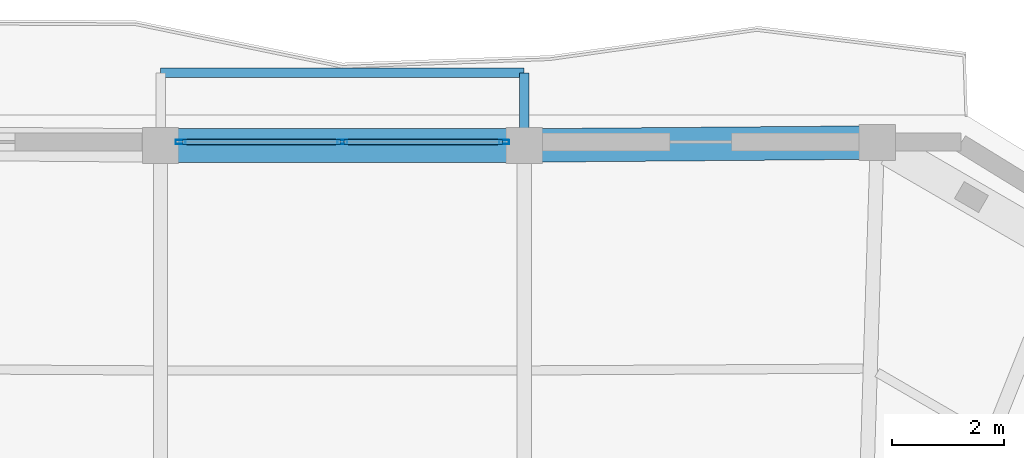
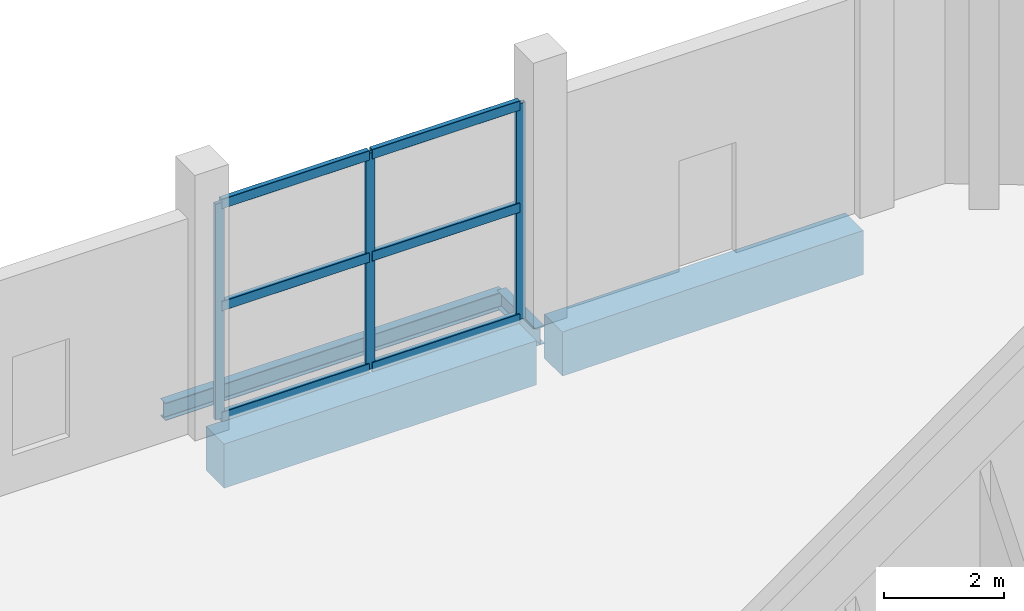
# One storey, part 15 of 23: 9 members, 4 beams, 1 element without a shape of its own.
"""IFC4 building model written with IfcOpenShell, lengths in metres."""

import ifcopenshell
import ifcopenshell.guid

model = None  # the IFC model being written
_history = None  # IfcOwnerHistory: only IFC2X3 demands one
_inside = {}  # id of a spatial element -> (the spatial element, [elements in it])
_under = {}  # id of a project, library or spatial element -> (it, [spatial elements below it])
_declared = {}  # id of a project -> (the project, [libraries it declares])
_typed = {}  # id of a type object -> (the type object, [elements of that type])
_made_of = {}  # id of a material, layer set ... -> (it, [elements and type objects made of it])


def new_model(schema):
    """Start an empty IFC model of exactly this schema.

    Asked for "IFC4X3", IfcOpenShell would pick the latest addendum, in which some entities
    have other attributes; the version numbers below select the first issue.
    IFC2X3 requires an IfcOwnerHistory on every rooted entity: one is made here for all.
    """
    global model, _history
    if schema == "IFC4X3":
        model = ifcopenshell.file(schema_version=(4, 3, 0, 0))
    else:
        model = ifcopenshell.file(schema=schema)
    _inside.clear()
    _under.clear()
    _declared.clear()
    _typed.clear()
    _made_of.clear()
    _history = None
    if model.schema == "IFC2X3":
        org = make("IfcOrganization", Name="unknown")
        user = make(
            "IfcPersonAndOrganization",
            ThePerson=make("IfcPerson", FamilyName="unknown"),
            TheOrganization=org,
        )
        app = make(
            "IfcApplication",
            ApplicationDeveloper=org,
            Version="unknown",
            ApplicationFullName="unknown",
            ApplicationIdentifier="unknown",
        )
        _history = make(
            "IfcOwnerHistory",
            OwningUser=user,
            OwningApplication=app,
            ChangeAction="ADDED",
            CreationDate=0,
        )
    return model


def make(cls, **values):
    """One entity of the class cls with the attributes given. An attribute that is None is left unset."""
    return model.create_entity(
        cls, **{name: value for name, value in values.items() if value is not None}
    )


def rooted(cls, **values):
    """An entity with a GlobalId (a new one), such as an element, a storey or a relation."""
    return make(cls, GlobalId=ifcopenshell.guid.new(), OwnerHistory=_history, **values)


def si_unit(unit_type, name, prefix=None):
    """IfcSIUnit, for example si_unit("LENGTHUNIT", "METRE", prefix="MILLI")."""
    return make("IfcSIUnit", UnitType=unit_type, Prefix=prefix, Name=name)


def assignment(units):
    """IfcUnitAssignment: the units of a project."""
    return None if units is None else make("IfcUnitAssignment", Units=units)


def point(xyz):
    """IfcCartesianPoint."""
    return None if xyz is None else make("IfcCartesianPoint", Coordinates=xyz)


def direction(xyz):
    """IfcDirection."""
    return None if xyz is None else make("IfcDirection", DirectionRatios=xyz)


def frame(location, z_axis=None, x_axis=None):
    """IfcAxis2Placement3D, a coordinate frame: its origin and axes. An axis left out is left unset."""
    return make(
        "IfcAxis2Placement3D",
        Location=point(location),
        Axis=direction(z_axis),
        RefDirection=direction(x_axis),
    )


def frame_2d(location, x_axis=None):
    """IfcAxis2Placement2D, a coordinate frame in the plane: its origin and x axis."""
    return make(
        "IfcAxis2Placement2D", Location=point(location), RefDirection=direction(x_axis)
    )


def origin():
    """The frame at (0, 0, 0) with its axes left unset."""
    return frame((0.0, 0.0, 0.0))


def origin_2d():
    """The frame at (0, 0) in the plane with its x axis left unset."""
    return frame_2d((0.0, 0.0))


def place(relative_to, where):
    """IfcLocalPlacement: puts the frame where relative to a parent placement (None: the world)."""
    return make(
        "IfcLocalPlacement", PlacementRelTo=relative_to, RelativePlacement=where
    )


def context(
    kind, dimensions, precision=None, world=None, true_north=None, identifier=None
):
    """IfcGeometricRepresentationContext, for example the 3D "Model" context."""
    return make(
        "IfcGeometricRepresentationContext",
        ContextIdentifier=identifier,
        ContextType=kind,
        CoordinateSpaceDimension=dimensions,
        Precision=precision,
        WorldCoordinateSystem=world,
        TrueNorth=true_north,
    )


def subcontext(parent, identifier, kind, view, scale=None):
    """IfcGeometricRepresentationSubContext, for example "Body" below "Model"."""
    return make(
        "IfcGeometricRepresentationSubContext",
        ContextIdentifier=identifier,
        ContextType=kind,
        ParentContext=parent,
        TargetScale=scale,
        TargetView=view,
    )


def project(units=None, contexts=None):
    """IfcProject with its units and contexts."""
    return rooted(
        "IfcProject",
        Name="project",
        RepresentationContexts=contexts,
        UnitsInContext=assignment(units),
    )


def spatial(cls, under=None, at=None, **own):
    """A site, building, storey or space (cls), placed at a placement, below another one or the project."""
    s = rooted(cls, ObjectPlacement=at, **own)
    if under is not None:
        _under.setdefault(under.id(), (under, []))[1].append(s)
    return s


def profile(cls, at=None, kind="AREA", **sizes):
    """A parametric profile (cls). Its sizes go by their IFC names, for example OverallWidth=200.0."""
    return make(cls, ProfileType=kind, Position=at, **sizes)


def rectangle(**sizes):
    """IfcRectangleProfileDef."""
    return profile("IfcRectangleProfileDef", **sizes)


def hollow_rectangle(**sizes):
    """IfcRectangleHollowProfileDef."""
    return profile("IfcRectangleHollowProfileDef", **sizes)


def i_section(**sizes):
    """IfcIShapeProfileDef."""
    return profile("IfcIShapeProfileDef", **sizes)


def extrude(swept, where, along, depth):
    """IfcExtrudedAreaSolid: the profile swept, set in the frame where, extruded along a direction by depth."""
    return make(
        "IfcExtrudedAreaSolid",
        SweptArea=swept,
        Position=where,
        ExtrudedDirection=direction(along),
        Depth=depth,
    )


def shape(context_of_items, identifier, shape_type, items):
    """IfcShapeRepresentation: the items that make up one representation, for example the "Body"."""
    return make(
        "IfcShapeRepresentation",
        ContextOfItems=context_of_items,
        RepresentationIdentifier=identifier,
        RepresentationType=shape_type,
        Items=items,
    )


def material(Name=None, Category=None):
    """IfcMaterial."""
    return make("IfcMaterial", Name=Name, Category=Category)


def layer(
    of_material, thickness, ventilated=None, Name=None, Category=None, Priority=None
):
    """IfcMaterialLayer: one layer of a wall or slab, of a material (None: an air gap)."""
    return make(
        "IfcMaterialLayer",
        Material=of_material,
        LayerThickness=thickness,
        IsVentilated=ventilated,
        Name=Name,
        Category=Category,
        Priority=Priority,
    )


def layer_set(layers, Name=None):
    """IfcMaterialLayerSet."""
    return make("IfcMaterialLayerSet", MaterialLayers=layers, LayerSetName=Name)


def material_profile(
    of_material, cross_section, Name=None, Category=None, Priority=None
):
    """IfcMaterialProfile: a cross section and its material."""
    return make(
        "IfcMaterialProfile",
        Name=Name,
        Material=of_material,
        Profile=cross_section,
        Priority=Priority,
        Category=Category,
    )


def profile_set(profiles, Name=None, composite=None):
    """IfcMaterialProfileSet."""
    return make(
        "IfcMaterialProfileSet",
        Name=Name,
        MaterialProfiles=profiles,
        CompositeProfile=composite,
    )


def made_of(thing, what):
    """Note that an element or type object is made of a material, layer set ...; save() writes the relation."""
    if what is not None:
        _made_of.setdefault(what.id(), (what, []))[1].append(thing)
    return thing


def type_object(cls, material=None, **own):
    """A type object (cls), such as IfcWallType, which elements share."""
    return made_of(rooted(cls, **own), material)


def element(
    cls,
    number,
    at=None,
    inside=None,
    cuts=None,
    type_object=None,
    material=None,
    context=None,
    identifier="Body",
    shape_type=None,
    held_by="IfcProductDefinitionShape",
    body=None,
    shapes=None,
    **own,
):
    """One element of the class cls, such as IfcWall. Its Tag is "e" and its number.

    at: its placement. inside: the storey or other place that contains it. cuts: it is an
    opening in that element (IfcRelVoidsElement). A single representation is given by context,
    identifier, shape_type and body (its items); several are given by shapes. held_by: the class
    of the entity that holds the representations. save() writes the other relations.
    """
    e = rooted(cls, Tag="e%d" % number, ObjectPlacement=at, **own)
    if body is not None:
        shapes = [shape(context, identifier, shape_type, body)]
    if shapes is not None:
        e.Representation = make(held_by, Representations=shapes)
    if inside is not None:
        _inside.setdefault(inside.id(), (inside, []))[1].append(e)
    if cuts is not None:
        rooted(
            "IfcRelVoidsElement", RelatingBuildingElement=cuts, RelatedOpeningElement=e
        )
    if type_object is not None:
        _typed.setdefault(type_object.id(), (type_object, []))[1].append(e)
    return made_of(e, material)


def aggregate(whole, parts):
    """IfcRelAggregates: a whole, such as a stair, and the parts it consists of."""
    return rooted("IfcRelAggregates", RelatingObject=whole, RelatedObjects=parts)


def save(model, path):
    """Write the relations noted so far, then the file.

    IfcRelAggregates (storeys below a building ...), IfcRelContainedInSpatialStructure (elements
    in a storey), IfcRelDefinesByType, IfcRelAssociatesMaterial and IfcRelDeclares: one each for
    every whole, place, type object, material and project.
    """
    for whole, parts in _under.values():
        aggregate(whole, parts)
    for where, things in _inside.values():
        rooted(
            "IfcRelContainedInSpatialStructure",
            RelatedElements=things,
            RelatingStructure=where,
        )
    for kind, things in _typed.values():
        rooted("IfcRelDefinesByType", RelatedObjects=things, RelatingType=kind)
    for what, things in _made_of.values():
        rooted("IfcRelAssociatesMaterial", RelatedObjects=things, RelatingMaterial=what)
    for by, libraries in _declared.values():
        rooted("IfcRelDeclares", RelatingContext=by, RelatedDefinitions=libraries)
    model.write(path)


model = new_model("IFC4")

# Units and contexts
model_context = context("Model", 3, precision=1e-05, world=origin(), true_north=direction((0.0, 1.0)))
body_context = subcontext(model_context, "Body", "Model", "MODEL_VIEW")
ifc_project = project(units=[si_unit("LENGTHUNIT", "METRE"), si_unit("AREAUNIT", "SQUARE_METRE"), si_unit("VOLUMEUNIT", "CUBIC_METRE"), si_unit("PLANEANGLEUNIT", "RADIAN"), si_unit("MASSUNIT", "GRAM", prefix="KILO")], contexts=[model_context])

# Site, building, storey
site_placement = place(None, origin())
site = spatial("IfcSite", under=ifc_project, at=site_placement, CompositionType="ELEMENT")
building_placement = place(site_placement, origin())
building = spatial("IfcBuilding", under=site, at=building_placement, Name="Cinnabar Lancet Tower", CompositionType="ELEMENT")
storey_placement = place(building_placement, frame((0.0, 0.0, 278.10009765625)))
storey = spatial("IfcBuildingStorey", under=building, at=storey_placement, Name="L74", CompositionType="ELEMENT", Elevation=278.10009765625)

# Curtain wall, members
ifc_material_1 = material(Name="Thermally broken bronze-anodized aluminium and low-E glass", Category="aluminium")
ifc_layer = layer(ifc_material_1, 0.179931640625)
ifc_layer_set = layer_set([ifc_layer], Name="Thermally broken bronze-anodized aluminium and low-E glass")
curtain_wall_type = type_object("IfcCurtainWallType", Name="ENV-CW-SYS-04", PredefinedType="NOTDEFINED", material=ifc_layer_set)
curtain_wall_placement = place(storey_placement, origin())
curtain_wall = element("IfcCurtainWall", 1, at=curtain_wall_placement, inside=storey, type_object=curtain_wall_type, Name="L74 Face 4 Feature Curtain Wall", PredefinedType="NOTDEFINED")
ifc_material_2 = material(Name="Anodized architectural aluminium 6063-T6", Category="aluminium")
ifc_material_profile_1 = material_profile(ifc_material_2, hollow_rectangle(XDim=0.074951171875, YDim=0.179931640625, WallThickness=0.00390625, InnerFilletRadius=0.001953125, OuterFilletRadius=0.006103515625, at=origin_2d()), Name="CW-MUL 180x75x4")
ifc_profile_set_1 = profile_set([ifc_material_profile_1], Name="Anodized architectural aluminium 6063-T6")
member_type_1 = type_object("IfcMemberType", Name="ENV-CW-MUL-180", PredefinedType="MULLION", material=ifc_profile_set_1)
member_1_placement = place(storey_placement, frame((35.294921875, 44.3701171875, 0.0), z_axis=(0.0, 0.0, 1.0), x_axis=(0.0, -1.0, 0.0)))
member_1 = element("IfcMember", 2, at=member_1_placement, type_object=member_type_1, Name="CW-04 mullion 1", PredefinedType="MULLION", context=body_context, shape_type="SweptSolid", body=[
    extrude(hollow_rectangle(XDim=0.074951171875, YDim=0.179931640625, WallThickness=0.00390625, InnerFilletRadius=0.001953125, OuterFilletRadius=0.006103515625, at=origin_2d()), origin(), (0.0, 0.0, 1.0), 4.389892578125),
])
member_2_placement = place(storey_placement, frame((32.39990234375, 44.3701171875, 0.0), z_axis=(0.0, 0.0, 1.0), x_axis=(0.0, -1.0, 0.0)))
member_2 = element("IfcMember", 3, at=member_2_placement, type_object=member_type_1, Name="CW-04 mullion 2", PredefinedType="MULLION", context=body_context, shape_type="SweptSolid", body=[
    extrude(hollow_rectangle(XDim=0.074951171875, YDim=0.179931640625, WallThickness=0.00390625, InnerFilletRadius=0.001953125, OuterFilletRadius=0.006103515625, at=origin_2d()), origin(), (0.0, 0.0, 1.0), 4.389892578125),
])
member_3_placement = place(storey_placement, frame((29.5048828125, 44.3701171875, 0.0), z_axis=(0.0, 0.0, 1.0), x_axis=(0.0, -1.0, 0.0)))
member_3 = element("IfcMember", 4, at=member_3_placement, type_object=member_type_1, Name="CW-04 mullion 3", PredefinedType="MULLION", context=body_context, shape_type="SweptSolid", body=[
    extrude(hollow_rectangle(XDim=0.074951171875, YDim=0.179931640625, WallThickness=0.00390625, InnerFilletRadius=0.001953125, OuterFilletRadius=0.006103515625, at=origin_2d()), origin(), (0.0, 0.0, 1.0), 4.389892578125),
])
ifc_material_3 = material(Name="Anodized architectural aluminium 6063-T6", Category="aluminium")
ifc_material_profile_2 = material_profile(ifc_material_3, hollow_rectangle(XDim=0.10009765625, YDim=0.199951171875, WallThickness=0.008056640625, InnerFilletRadius=0.00390625, OuterFilletRadius=0.011962890625, at=origin_2d()), Name="RHS 200x100x8")
ifc_profile_set_2 = profile_set([ifc_material_profile_2], Name="Anodized architectural aluminium 6063-T6")
member_type_2 = type_object("IfcMemberType", Name="ENV-CW-TRN-140", PredefinedType="USERDEFINED", material=ifc_profile_set_2)
member_4_placement = place(storey_placement, frame((35.264892578125, 44.3701171875, 0.02978515625), z_axis=(-1.0, 0.0, 0.0), x_axis=(0.0, -1.0, 0.0)))
member_4 = element("IfcMember", 5, at=member_4_placement, type_object=member_type_2, Name="CW-04 transom 1.1", ObjectType="TRANSOM", PredefinedType="USERDEFINED", context=body_context, shape_type="SweptSolid", body=[
    extrude(hollow_rectangle(XDim=0.10009765625, YDim=0.199951171875, WallThickness=0.008056640625, InnerFilletRadius=0.00390625, OuterFilletRadius=0.011962890625, at=origin_2d()), origin(), (0.0, 0.0, 1.0), 2.8349609375),
])
member_5_placement = place(storey_placement, frame((35.264892578125, 44.3701171875, 2.282958984375), z_axis=(-1.0, 0.0, 0.0), x_axis=(0.0, -1.0, 0.0)))
member_5 = element("IfcMember", 6, at=member_5_placement, type_object=member_type_2, Name="CW-04 transom 1.2", ObjectType="TRANSOM", PredefinedType="USERDEFINED", context=body_context, shape_type="SweptSolid", body=[
    extrude(hollow_rectangle(XDim=0.10009765625, YDim=0.199951171875, WallThickness=0.008056640625, InnerFilletRadius=0.00390625, OuterFilletRadius=0.011962890625, at=origin_2d()), origin(), (0.0, 0.0, 1.0), 2.8349609375),
])
member_6_placement = place(storey_placement, frame((35.264892578125, 44.3701171875, 4.35986328125), z_axis=(-1.0, 0.0, 0.0), x_axis=(0.0, -1.0, 0.0)))
member_6 = element("IfcMember", 7, at=member_6_placement, type_object=member_type_2, Name="CW-04 transom 1.3", ObjectType="TRANSOM", PredefinedType="USERDEFINED", context=body_context, shape_type="SweptSolid", body=[
    extrude(hollow_rectangle(XDim=0.10009765625, YDim=0.199951171875, WallThickness=0.008056640625, InnerFilletRadius=0.00390625, OuterFilletRadius=0.011962890625, at=origin_2d()), origin(), (0.0, 0.0, 1.0), 2.8349609375),
])
member_7_placement = place(storey_placement, frame((32.3701171875, 44.3701171875, 0.02978515625), z_axis=(-1.0, 0.0, 0.0), x_axis=(0.0, -1.0, 0.0)))
member_7 = element("IfcMember", 8, at=member_7_placement, type_object=member_type_2, Name="CW-04 transom 2.1", ObjectType="TRANSOM", PredefinedType="USERDEFINED", context=body_context, shape_type="SweptSolid", body=[
    extrude(hollow_rectangle(XDim=0.10009765625, YDim=0.199951171875, WallThickness=0.008056640625, InnerFilletRadius=0.00390625, OuterFilletRadius=0.011962890625, at=origin_2d()), origin(), (0.0, 0.0, 1.0), 2.835205078125),
])
member_8_placement = place(storey_placement, frame((32.3701171875, 44.3701171875, 2.282958984375), z_axis=(-1.0, 0.0, 0.0), x_axis=(0.0, -1.0, 0.0)))
member_8 = element("IfcMember", 9, at=member_8_placement, type_object=member_type_2, Name="CW-04 transom 2.2", ObjectType="TRANSOM", PredefinedType="USERDEFINED", context=body_context, shape_type="SweptSolid", body=[
    extrude(hollow_rectangle(XDim=0.10009765625, YDim=0.199951171875, WallThickness=0.008056640625, InnerFilletRadius=0.00390625, OuterFilletRadius=0.011962890625, at=origin_2d()), origin(), (0.0, 0.0, 1.0), 2.835205078125),
])
member_9_placement = place(storey_placement, frame((32.3701171875, 44.3701171875, 4.35986328125), z_axis=(-1.0, 0.0, 0.0), x_axis=(0.0, -1.0, 0.0)))
member_9 = element("IfcMember", 10, at=member_9_placement, type_object=member_type_2, Name="CW-04 transom 2.3", ObjectType="TRANSOM", PredefinedType="USERDEFINED", context=body_context, shape_type="SweptSolid", body=[
    extrude(hollow_rectangle(XDim=0.10009765625, YDim=0.199951171875, WallThickness=0.008056640625, InnerFilletRadius=0.00390625, OuterFilletRadius=0.011962890625, at=origin_2d()), origin(), (0.0, 0.0, 1.0), 2.835205078125),
])
aggregate(curtain_wall, [member_1, member_2, member_3, member_4, member_5, member_6, member_7, member_8, member_9])

# Beams
ifc_material_4 = material(Name="Concrete C60/75", Category="concrete")
ifc_material_profile_3 = material_profile(ifc_material_4, rectangle(XDim=0.60009765625, YDim=0.89990234375, at=origin_2d()), Name="RC-SB 600x900")
ifc_profile_set_3 = profile_set([ifc_material_profile_3], Name="Concrete C60/75")
beam_type_1 = type_object("IfcBeamType", Name="STR-BM-RCSB-900", PredefinedType="SPANDREL", material=ifc_profile_set_3)
beam_1_placement = place(storey_placement, frame((41.721923828125, 44.35888671875, -0.72998046875), z_axis=(-0.999964782464, -0.008392486634, 0.0), x_axis=(0.008392486634, -0.999964782464, 0.0)))
element("IfcBeam", 11, at=beam_1_placement, inside=storey, type_object=beam_type_1, Name="L74 Perimeter Spandrel 13", PredefinedType="SPANDREL", context=body_context, shape_type="SweptSolid", body=[
    extrude(rectangle(XDim=0.60009765625, YDim=0.89990234375, at=origin_2d()), origin(), (0.0, 0.0, 1.0), 5.818115234375),
])
beam_2_placement = place(storey_placement, frame((35.404052734375, 44.30810546875, -0.72998046875), z_axis=(-1.0, 0.0, 0.0), x_axis=(0.0, -1.0, 0.0)))
element("IfcBeam", 12, at=beam_2_placement, inside=storey, type_object=beam_type_1, Name="L74 Perimeter Spandrel 14", PredefinedType="SPANDREL", context=body_context, shape_type="SweptSolid", body=[
    extrude(rectangle(XDim=0.60009765625, YDim=0.89990234375, at=origin_2d()), origin(), (0.0, 0.0, 1.0), 6.008056640625),
])
ifc_material_5 = material(Name="Structural steel S355", Category="steel")
ifc_material_profile_4 = material_profile(ifc_material_5, i_section(OverallWidth=0.17138671875, OverallDepth=0.35498046875, WebThickness=0.00732421875, FlangeThickness=0.011474609375, FilletRadius=0.01025390625, at=origin_2d()), Name="UKB 356x171x51")
ifc_profile_set_4 = profile_set([ifc_material_profile_4], Name="Structural steel S355")
beam_type_2 = type_object("IfcBeamType", Name="STR-BM-WAV-OUT", PredefinedType="BEAM", material=ifc_profile_set_4)
beam_3_placement = place(storey_placement, frame((35.654052734375, 44.30810546875, -0.4580078125), z_axis=(0.0, 1.0, 0.0), x_axis=(-1.0, 0.0, 0.0)))
element("IfcBeam", 13, at=beam_3_placement, inside=storey, type_object=beam_type_2, Name="L74 Face 4 Balcony Outlooker A", PredefinedType="BEAM", context=body_context, shape_type="SweptSolid", body=[
    extrude(i_section(OverallWidth=0.17138671875, OverallDepth=0.35498046875, WebThickness=0.00732421875, FlangeThickness=0.011474609375, FilletRadius=0.01025390625, at=origin_2d()), origin(), (0.0, 0.0, 1.0), 1.2998046875),
])
ifc_material_6 = material(Name="Structural steel S355", Category="steel")
ifc_material_profile_5 = material_profile(ifc_material_6, i_section(OverallWidth=0.17138671875, OverallDepth=0.35498046875, WebThickness=0.00732421875, FlangeThickness=0.011474609375, FilletRadius=0.01025390625, at=origin_2d()), Name="UKB 356x171x51")
ifc_profile_set_5 = profile_set([ifc_material_profile_5], Name="Structural steel S355")
beam_type_3 = type_object("IfcBeamType", Name="STR-BM-WAV-TRIM", PredefinedType="SPANDREL", material=ifc_profile_set_5)
beam_4_placement = place(storey_placement, frame((35.654052734375, 45.60791015625, -0.4580078125), z_axis=(-1.0, 0.0, 0.0), x_axis=(0.0, -1.0, 0.0)))
element("IfcBeam", 14, at=beam_4_placement, inside=storey, type_object=beam_type_3, Name="L74 Face 4 Balcony Edge Trimmer", PredefinedType="SPANDREL", context=body_context, shape_type="SweptSolid", body=[
    extrude(i_section(OverallWidth=0.17138671875, OverallDepth=0.35498046875, WebThickness=0.00732421875, FlangeThickness=0.011474609375, FilletRadius=0.01025390625, at=origin_2d()), origin(), (0.0, 0.0, 1.0), 6.508056640625),
])

save(model, "model.ifc")
